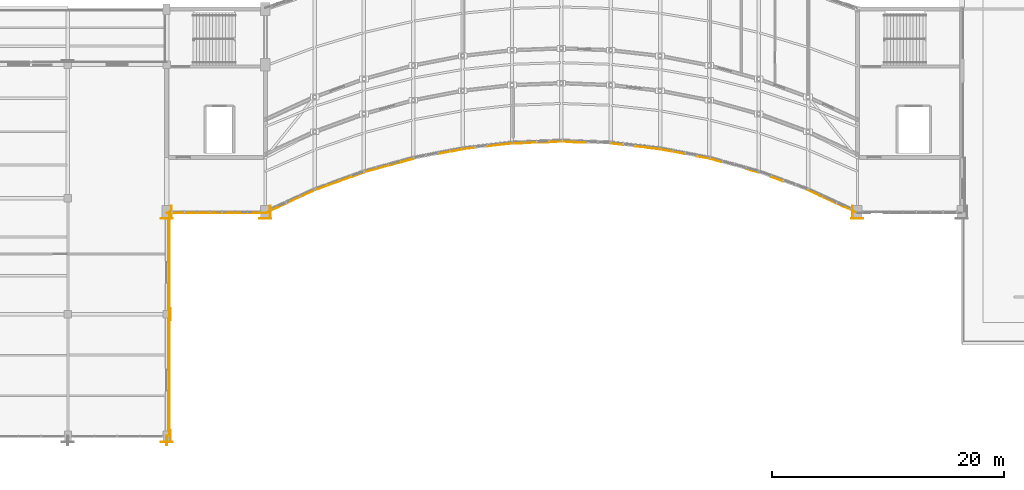
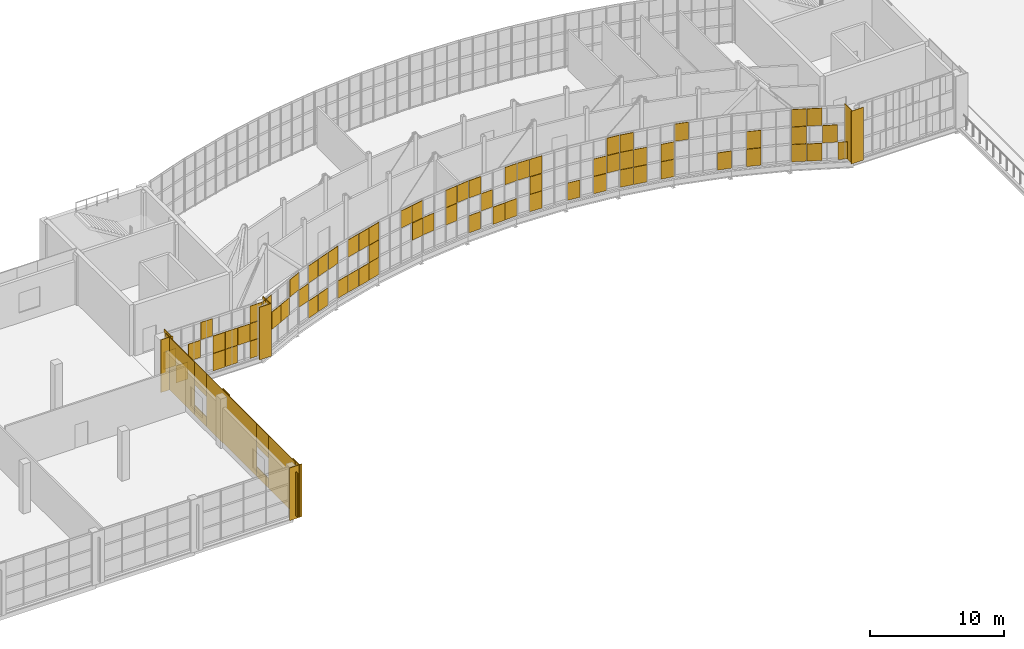
# One storey, part 61 of 66: 87 coverings, 1 shading device.
"""IFC4 building model written with IfcOpenShell, lengths in metres."""

from ifc_helpers import new_model, si_unit, direction, frame, origin, origin_2d, place, context, subcontext, project, spatial, rectangle, hollow_rectangle, extrude, material, layer, layer_set, material_profile, profile_set, type_object, element, save


model = new_model("IFC4")

# Units and contexts
model_context = context("Model", 3, precision=1e-05, world=origin(), true_north=direction((0.0, 1.0)))
body_context = subcontext(model_context, "Body", "Model", "MODEL_VIEW")
ifc_project = project(units=[si_unit("LENGTHUNIT", "METRE"), si_unit("AREAUNIT", "SQUARE_METRE"), si_unit("VOLUMEUNIT", "CUBIC_METRE"), si_unit("PLANEANGLEUNIT", "RADIAN"), si_unit("MASSUNIT", "GRAM", prefix="KILO")], contexts=[model_context])

# Site, building, storey
site_placement = place(None, origin())
site = spatial("IfcSite", under=ifc_project, at=site_placement, CompositionType="ELEMENT")
building_placement = place(site_placement, origin())
building = spatial("IfcBuilding", under=site, at=building_placement, Name="Solvikara Media Centre", CompositionType="ELEMENT")
storey_placement = place(building_placement, frame((0.0, 0.0, 19.800048828125)))
storey = spatial("IfcBuildingStorey", under=building, at=storey_placement, Name="L04", CompositionType="ELEMENT", Elevation=19.800048828125)

# Coverings
ifc_material_1 = material(Name="GFRC white mineral architectural rainscreen panel")
ifc_layer_1 = layer(ifc_material_1, 0.050048828125)
ifc_layer_set_1 = layer_set([ifc_layer_1], Name="GFRC white mineral architectural rainscreen panel")
covering_type_1 = type_object("IfcCoveringType", Name="CV-04", PredefinedType="CLADDING", material=ifc_layer_set_1)
for number, where, z_axis, x_axis, name in (
    (1, (68.324951171875, 0.0, 0.0), (0.0, 0.0, 1.0), (0.0, 1.0, 0.0), "PIL-L04-144"),
    (2, (68.0, -0.47509765625, 0.0), (0.0, 0.0, 1.0), (1.0, 0.0, 0.0), "PIL-L04-145"),
    (3, (68.35009765625, 10.5, 0.0), (0.0, 0.0, 1.0), (0.0, 1.0, 0.0), "PIL-L04-149"),
    (4, (68.425048828125, 19.323974609375, 0.0), (0.0, 0.0, 1.0), (0.0, 1.0, 0.0), "PIL-L04-165"),
    (5, (68.0, 18.7490234375, 0.0), (0.0, 0.0, 1.0), (1.0, 0.0, 0.0), "PIL-L04-166"),
    (6, (76.925048828125, 19.323974609375, 0.0), (0.0, 0.0, 1.0), (0.0, 1.0, 0.0), "PIL-L04-179"),
    (7, (76.5, 18.7490234375, 0.0), (0.0, 0.0, 1.0), (1.0, 0.0, 0.0), "PIL-L04-180"),
    (8, (127.5, 18.7490234375, 0.0), (0.0, 0.0, 1.0), (1.0, 0.0, 0.0), "PIL-L04-261"),
    (9, (127.074951171875, 19.323974609375, 0.0), (0.0, 0.0, 1.0), (0.0, -1.0, 0.0), "PIL-L04-262"),
):
    element("IfcCovering", number, at=place(storey_placement, frame(where, z_axis=z_axis, x_axis=x_axis)), inside=storey, type_object=covering_type_1, Name=name, PredefinedType="CLADDING", context=body_context, shape_type="SweptSolid", body=[
        extrude(rectangle(XDim=1.0400390625, YDim=0.050048828125, at=origin_2d()), origin(), (0.0, 0.0, 1.0), 4.800048828125),
    ])
covering_1_placement = place(storey_placement, frame((77.070068359375, 19.48291015625, 1.61474609375), z_axis=(0.0, 0.0, 1.0), x_axis=(0.908522763286, 0.417835360629, 0.0)))
element("IfcCovering", 10, at=covering_1_placement, inside=storey, type_object=covering_type_1, Name="CW-L04-SARC-00-SF-01", PredefinedType="CLADDING", context=body_context, shape_type="SweptSolid", body=[
    extrude(rectangle(XDim=1.138916015625, YDim=0.050048828125, at=origin_2d()), origin(), (0.0, 0.0, 1.0), 1.570068359375),
])
covering_2_placement = place(storey_placement, frame((78.133056640625, 19.971923828125, 1.61474609375), z_axis=(0.0, 0.0, 1.0), x_axis=(0.908675846917, 0.417502341586, 0.0)))
element("IfcCovering", 11, at=covering_2_placement, inside=storey, type_object=covering_type_1, Name="CW-L04-SARC-00-SF-11", PredefinedType="CLADDING", context=body_context, shape_type="SweptSolid", body=[
    extrude(rectangle(XDim=1.139892578125, YDim=0.050048828125, at=origin_2d()), origin(), (0.0, 0.0, 1.0), 1.570068359375),
])
covering_3_placement = place(storey_placement, frame((84.5009765625, 22.54296875, 3.21484375), z_axis=(0.0, 0.0, 1.0), x_axis=(0.939794058841, 0.341741315862, 0.0)))
element("IfcCovering", 12, at=covering_3_placement, inside=storey, type_object=covering_type_1, Name="CW-L04-SARC-01-SF-32", PredefinedType="CLADDING", context=body_context, shape_type="SweptSolid", body=[
    extrude(rectangle(XDim=1.10009765625, YDim=0.050048828125, at=origin_2d()), origin(), (0.0, 0.0, 1.0), 1.570068359375),
])
for number, where, z_axis, x_axis, name in (
    (13, (87.680908203125, 23.465087890625, 0.01513671875), (0.0, 0.0, 1.0), (0.964049041264, 0.265724379832, 0.0), "CW-L04-SARC-02-SF-20"),
    (14, (87.680908203125, 23.465087890625, 3.21484375), (0.0, 0.0, 1.0), (0.964049041264, 0.265724379832, 0.0), "CW-L04-SARC-02-SF-22"),
    (15, (88.743896484375, 23.758056640625, 1.61474609375), (0.0, 0.0, 1.0), (0.964049041264, 0.265724379832, 0.0), "CW-L04-SARC-02-SF-31"),
    (16, (88.743896484375, 23.758056640625, 3.21484375), (0.0, 0.0, 1.0), (0.964049041264, 0.265724379832, 0.0), "CW-L04-SARC-02-SF-32"),
):
    element("IfcCovering", number, at=place(storey_placement, frame(where, z_axis=z_axis, x_axis=x_axis)), inside=storey, type_object=covering_type_1, Name=name, PredefinedType="CLADDING", context=body_context, shape_type="SweptSolid", body=[
        extrude(rectangle(XDim=1.072998046875, YDim=0.050048828125, at=origin_2d()), origin(), (0.0, 0.0, 1.0), 1.570068359375),
    ])
covering_4_placement = place(storey_placement, frame((92.987060546875, 24.623046875, 1.61474609375), z_axis=(0.0, 0.0, 1.0), x_axis=(0.981766789998, 0.190089373868, 0.0)))
element("IfcCovering", 17, at=covering_4_placement, inside=storey, type_object=covering_type_1, Name="CW-L04-SARC-03-SF-31", PredefinedType="CLADDING", context=body_context, shape_type="SweptSolid", body=[
    extrude(rectangle(XDim=1.052001953125, YDim=0.050048828125, at=origin_2d()), origin(), (0.0, 0.0, 1.0), 1.570068359375),
])
for number, where, z_axis, x_axis, name in (
    (18, (98.284912109375, 25.23193359375, 3.21484375), (0.0, 0.0, 1.0), (0.999286838934, 0.037759946144, 0.0), "CW-L04-SARC-05-SF-02"),
    (19, (100.409912109375, 25.31201171875, 0.01513671875), (0.0, 0.0, 1.0), (0.999286838934, 0.037759946144, 0.0), "CW-L04-SARC-05-SF-20"),
    (20, (103.590087890625, 25.31201171875, 1.61474609375), (0.0, 0.0, 1.0), (0.999286838934, -0.037759946144, 0.0), "CW-L04-SARC-06-SF-11"),
):
    element("IfcCovering", number, at=place(storey_placement, frame(where, z_axis=z_axis, x_axis=x_axis)), inside=storey, type_object=covering_type_1, Name=name, PredefinedType="CLADDING", context=body_context, shape_type="SweptSolid", body=[
        extrude(rectangle(XDim=1.032958984375, YDim=0.050048828125, at=origin_2d()), origin(), (0.0, 0.0, 1.0), 1.570068359375),
    ])
covering_5_placement = place(storey_placement, frame((109.9580078125, 24.784912109375, 1.61474609375), z_axis=(0.0, 0.0, 1.0), x_axis=(0.993416825068, -0.114555714269, 0.0)))
element("IfcCovering", 21, at=covering_5_placement, inside=storey, type_object=covering_type_1, Name="CW-L04-SARC-07-SF-31", PredefinedType="CLADDING", context=body_context, shape_type="SweptSolid", body=[
    extrude(rectangle(XDim=1.0390625, YDim=0.050048828125, at=origin_2d()), origin(), (0.0, 0.0, 1.0), 1.570068359375),
])
covering_6_placement = place(storey_placement, frame((111.012939453125, 24.623046875, 3.21484375), z_axis=(0.0, 0.0, 1.0), x_axis=(0.981766789998, -0.190089373868, 0.0)))
element("IfcCovering", 22, at=covering_6_placement, inside=storey, type_object=covering_type_1, Name="CW-L04-SARC-08-SF-02", PredefinedType="CLADDING", context=body_context, shape_type="SweptSolid", body=[
    extrude(rectangle(XDim=1.052001953125, YDim=0.050048828125, at=origin_2d()), origin(), (0.0, 0.0, 1.0), 1.570068359375),
])
covering_7_placement = place(storey_placement, frame((118.444091796875, 22.8798828125, 0.01513671875), z_axis=(0.0, 0.0, 1.0), x_axis=(0.964049041264, -0.265724379832, 0.0)))
element("IfcCovering", 23, at=covering_7_placement, inside=storey, type_object=covering_type_1, Name="CW-L04-SARC-09-SF-30", PredefinedType="CLADDING", context=body_context, shape_type="SweptSolid", body=[
    extrude(rectangle(XDim=1.072998046875, YDim=0.050048828125, at=origin_2d()), origin(), (0.0, 0.0, 1.0), 1.570068359375),
])
covering_8_placement = place(storey_placement, frame((120.56103515625, 22.156005859375, 0.01513671875), z_axis=(0.0, 0.0, 1.0), x_axis=(0.939901373663, -0.341446053991, 0.0)))
element("IfcCovering", 24, at=covering_8_placement, inside=storey, type_object=covering_type_1, Name="CW-L04-SARC-10-SF-10", PredefinedType="CLADDING", context=body_context, shape_type="SweptSolid", body=[
    extrude(rectangle(XDim=1.10107421875, YDim=0.050048828125, at=origin_2d()), origin(), (0.0, 0.0, 1.0), 1.570068359375),
])
for number, where, z_axis, x_axis, name in (
    (25, (124.804931640625, 20.4609375, 0.01513671875), (0.0, 0.0, 1.0), (0.908187010791, -0.418564634711, 0.0), "CW-L04-SARC-11-SF-10"),
    (26, (124.804931640625, 20.4609375, 3.21484375), (0.0, 0.0, 1.0), (0.908187010791, -0.418564634711, 0.0), "CW-L04-SARC-11-SF-12"),
    (27, (125.866943359375, 19.971923828125, 1.61474609375), (0.0, 0.0, 1.0), (0.908675846917, -0.417502341586, 0.0), "CW-L04-SARC-11-SF-21"),
):
    element("IfcCovering", number, at=place(storey_placement, frame(where, z_axis=z_axis, x_axis=x_axis)), inside=storey, type_object=covering_type_1, Name=name, PredefinedType="CLADDING", context=body_context, shape_type="SweptSolid", body=[
        extrude(rectangle(XDim=1.139892578125, YDim=0.050048828125, at=origin_2d()), origin(), (0.0, 0.0, 1.0), 1.570068359375),
    ])
for number, where, z_axis, x_axis, name in (
    (28, (72.781005859375, 19.22998046875, 0.01513671875), (0.0, 0.0, 1.0), (1.0, 0.0, 0.0), "CW-L04-BHWS-SF-40"),
    (29, (72.781005859375, 19.22998046875, 1.61474609375), (0.0, 0.0, 1.0), (1.0, 0.0, 0.0), "CW-L04-BHWS-SF-41"),
    (30, (74.906005859375, 19.22998046875, 1.61474609375), (0.0, 0.0, 1.0), (1.0, 0.0, 0.0), "CW-L04-BHWS-SF-61"),
):
    element("IfcCovering", number, at=place(storey_placement, frame(where, z_axis=z_axis, x_axis=x_axis)), inside=storey, type_object=covering_type_1, Name=name, PredefinedType="CLADDING", context=body_context, shape_type="SweptSolid", body=[
        extrude(rectangle(XDim=1.031982421875, YDim=0.050048828125, at=origin_2d()), origin(), (0.0, 0.0, 1.0), 1.570068359375),
    ])
covering_9_placement = place(storey_placement, frame((68.2451171875, 1.966064453125, 0.0), z_axis=(0.0, 0.0, 1.0), x_axis=(0.0, 1.0, 0.0)))
element("IfcCovering", 31, at=covering_9_placement, inside=storey, type_object=covering_type_1, Name="L04-V6E-CV-F01", PredefinedType="CLADDING", context=body_context, shape_type="SweptSolid", body=[
    extrude(rectangle(XDim=3.930908203125, YDim=0.050048828125, at=origin_2d()), origin(), (0.0, 0.0, 1.0), 4.800048828125),
])
covering_10_placement = place(storey_placement, frame((68.2451171875, 4.8310546875, 0.0), z_axis=(0.0, 0.0, 1.0), x_axis=(0.0, 1.0, 0.0)))
element("IfcCovering", 32, at=covering_10_placement, inside=storey, type_object=covering_type_1, Name="L04-V6E-CV-S02", PredefinedType="CLADDING", context=body_context, shape_type="SweptSolid", body=[
    extrude(rectangle(XDim=1.800048828125, YDim=0.050048828125, at=origin_2d()), origin(), (0.0, 0.0, 1.0), 0.8701171875),
])
covering_11_placement = place(storey_placement, frame((68.2451171875, 4.8310546875, 2.72998046875), z_axis=(0.0, 0.0, 1.0), x_axis=(0.0, 1.0, 0.0)))
element("IfcCovering", 33, at=covering_11_placement, inside=storey, type_object=covering_type_1, Name="L04-V6E-CV-H02", PredefinedType="CLADDING", context=body_context, shape_type="SweptSolid", body=[
    extrude(rectangle(XDim=1.800048828125, YDim=0.050048828125, at=origin_2d()), origin(), (0.0, 0.0, 1.0), 2.070068359375),
])
covering_12_placement = place(storey_placement, frame((68.2451171875, 9.471923828125, 0.0), z_axis=(0.0, 0.0, 1.0), x_axis=(0.0, 1.0, 0.0)))
element("IfcCovering", 34, at=covering_12_placement, inside=storey, type_object=covering_type_1, Name="L04-V6E-CV-F03", PredefinedType="CLADDING", context=body_context, shape_type="SweptSolid", body=[
    extrude(rectangle(XDim=7.48193359375, YDim=0.050048828125, at=origin_2d()), origin(), (0.0, 0.0, 1.0), 4.800048828125),
])
covering_13_placement = place(storey_placement, frame((68.2451171875, 14.113037109375, 0.0), z_axis=(0.0, 0.0, 1.0), x_axis=(0.0, 1.0, 0.0)))
element("IfcCovering", 35, at=covering_13_placement, inside=storey, type_object=covering_type_1, Name="L04-V6E-CV-S04", PredefinedType="CLADDING", context=body_context, shape_type="SweptSolid", body=[
    extrude(rectangle(XDim=1.800048828125, YDim=0.050048828125, at=origin_2d()), origin(), (0.0, 0.0, 1.0), 0.8701171875),
])
covering_14_placement = place(storey_placement, frame((68.2451171875, 14.113037109375, 2.72998046875), z_axis=(0.0, 0.0, 1.0), x_axis=(0.0, 1.0, 0.0)))
element("IfcCovering", 36, at=covering_14_placement, inside=storey, type_object=covering_type_1, Name="L04-V6E-CV-H04", PredefinedType="CLADDING", context=body_context, shape_type="SweptSolid", body=[
    extrude(rectangle(XDim=1.800048828125, YDim=0.050048828125, at=origin_2d()), origin(), (0.0, 0.0, 1.0), 2.070068359375),
])
covering_15_placement = place(storey_placement, frame((68.2451171875, 17.1689453125, 0.0), z_axis=(0.0, 0.0, 1.0), x_axis=(0.0, 1.0, 0.0)))
element("IfcCovering", 37, at=covering_15_placement, inside=storey, type_object=covering_type_1, Name="L04-V6E-CV-F05", PredefinedType="CLADDING", context=body_context, shape_type="SweptSolid", body=[
    extrude(rectangle(XDim=4.31103515625, YDim=0.050048828125, at=origin_2d()), origin(), (0.0, 0.0, 1.0), 4.800048828125),
])
ifc_material_2 = material(Name="Insulated silver-pearl glass spandrel panel", Category="glass")
ifc_layer_2 = layer(ifc_material_2, 0.034912109375)
ifc_layer_set_2 = layer_set([ifc_layer_2], Name="Insulated silver-pearl glass spandrel panel")
covering_type_2 = type_object("IfcCoveringType", Name="CV-06", PredefinedType="CLADDING", material=ifc_layer_set_2)
covering_16_placement = place(storey_placement, frame((77.06689453125, 19.491943359375, 3.21484375), z_axis=(0.0, 0.0, 1.0), x_axis=(0.908522763286, 0.417835360629, 0.0)))
element("IfcCovering", 38, at=covering_16_placement, inside=storey, type_object=covering_type_2, Name="CW-L04-SARC-00-PX-02", PredefinedType="CLADDING", context=body_context, shape_type="SweptSolid", body=[
    extrude(rectangle(XDim=1.138916015625, YDim=0.034912109375, at=origin_2d()), origin(), (0.0, 0.0, 1.0), 1.570068359375),
])
covering_17_placement = place(storey_placement, frame((79.19189453125, 20.469970703125, 1.61474609375), z_axis=(0.0, 0.0, 1.0), x_axis=(0.908187010791, 0.418564634711, 0.0)))
element("IfcCovering", 39, at=covering_17_placement, inside=storey, type_object=covering_type_2, Name="CW-L04-SARC-00-PX-21", PredefinedType="CLADDING", context=body_context, shape_type="SweptSolid", body=[
    extrude(rectangle(XDim=1.139892578125, YDim=0.034912109375, at=origin_2d()), origin(), (0.0, 0.0, 1.0), 1.570068359375),
])
covering_18_placement = place(storey_placement, frame((80.25390625, 20.9580078125, 3.21484375), z_axis=(0.0, 0.0, 1.0), x_axis=(0.908522763286, 0.417835360629, 0.0)))
element("IfcCovering", 40, at=covering_18_placement, inside=storey, type_object=covering_type_2, Name="CW-L04-SARC-00-PX-32", PredefinedType="CLADDING", context=body_context, shape_type="SweptSolid", body=[
    extrude(rectangle(XDim=1.138916015625, YDim=0.034912109375, at=origin_2d()), origin(), (0.0, 0.0, 1.0), 1.570068359375),
])
covering_19_placement = place(storey_placement, frame((81.31005859375, 21.39306640625, 1.61474609375), z_axis=(0.0, 0.0, 1.0), x_axis=(0.939794058841, 0.341741315862, 0.0)))
element("IfcCovering", 41, at=covering_19_placement, inside=storey, type_object=covering_type_2, Name="CW-L04-SARC-01-PX-01", PredefinedType="CLADDING", context=body_context, shape_type="SweptSolid", body=[
    extrude(rectangle(XDim=1.10009765625, YDim=0.034912109375, at=origin_2d()), origin(), (0.0, 0.0, 1.0), 1.570068359375),
])
for number, where, z_axis, x_axis, name in (
    (42, (82.373046875, 21.779052734375, 0.01513671875), (0.0, 0.0, 1.0), (0.939901373663, 0.341446053991, 0.0), "CW-L04-SARC-01-PX-10"),
    (43, (82.373046875, 21.779052734375, 3.21484375), (0.0, 0.0, 1.0), (0.939901373663, 0.341446053991, 0.0), "CW-L04-SARC-01-PX-12"),
):
    element("IfcCovering", number, at=place(storey_placement, frame(where, z_axis=z_axis, x_axis=x_axis)), inside=storey, type_object=covering_type_2, Name=name, PredefinedType="CLADDING", context=body_context, shape_type="SweptSolid", body=[
        extrude(rectangle(XDim=1.10107421875, YDim=0.034912109375, at=origin_2d()), origin(), (0.0, 0.0, 1.0), 1.570068359375),
    ])
for number, where, z_axis, x_axis, name in (
    (44, (83.43505859375, 22.166015625, 0.01513671875), (0.0, 0.0, 1.0), (0.939794058841, 0.341741315862, 0.0), "CW-L04-SARC-01-PX-20"),
    (45, (83.43505859375, 22.166015625, 3.21484375), (0.0, 0.0, 1.0), (0.939794058841, 0.341741315862, 0.0), "CW-L04-SARC-01-PX-22"),
):
    element("IfcCovering", number, at=place(storey_placement, frame(where, z_axis=z_axis, x_axis=x_axis)), inside=storey, type_object=covering_type_2, Name=name, PredefinedType="CLADDING", context=body_context, shape_type="SweptSolid", body=[
        extrude(rectangle(XDim=1.10009765625, YDim=0.034912109375, at=origin_2d()), origin(), (0.0, 0.0, 1.0), 1.570068359375),
    ])
covering_20_placement = place(storey_placement, frame((85.552978515625, 22.888916015625, 0.01513671875), z_axis=(0.0, 0.0, 1.0), x_axis=(0.963984083771, 0.265959933516, 0.0)))
element("IfcCovering", 46, at=covering_20_placement, inside=storey, type_object=covering_type_2, Name="CW-L04-SARC-02-PX-00", PredefinedType="CLADDING", context=body_context, shape_type="SweptSolid", body=[
    extrude(rectangle(XDim=1.072021484375, YDim=0.034912109375, at=origin_2d()), origin(), (0.0, 0.0, 1.0), 1.570068359375),
])
for number, where, z_axis, x_axis, name in (
    (47, (86.615966796875, 23.181884765625, 0.01513671875), (0.0, 0.0, 1.0), (0.964049041264, 0.265724379832, 0.0), "CW-L04-SARC-02-PX-10"),
    (48, (86.615966796875, 23.181884765625, 3.21484375), (0.0, 0.0, 1.0), (0.964049041264, 0.265724379832, 0.0), "CW-L04-SARC-02-PX-12"),
    (49, (88.740966796875, 23.76904296875, 0.01513671875), (0.0, 0.0, 1.0), (0.964049041264, 0.265724379832, 0.0), "CW-L04-SARC-02-PX-30"),
):
    element("IfcCovering", number, at=place(storey_placement, frame(where, z_axis=z_axis, x_axis=x_axis)), inside=storey, type_object=covering_type_2, Name=name, PredefinedType="CLADDING", context=body_context, shape_type="SweptSolid", body=[
        extrude(rectangle(XDim=1.072998046875, YDim=0.034912109375, at=origin_2d()), origin(), (0.0, 0.0, 1.0), 1.570068359375),
    ])
for number, where, z_axis, x_axis, name in (
    (50, (91.922119140625, 24.427001953125, 3.21484375), (0.0, 0.0, 1.0), (0.981766789998, 0.190089373868, 0.0), "CW-L04-SARC-03-PX-22"),
    (51, (92.98388671875, 24.633056640625, 3.21484375), (0.0, 0.0, 1.0), (0.981766789998, 0.190089373868, 0.0), "CW-L04-SARC-03-PX-32"),
):
    element("IfcCovering", number, at=place(storey_placement, frame(where, z_axis=z_axis, x_axis=x_axis)), inside=storey, type_object=covering_type_2, Name=name, PredefinedType="CLADDING", context=body_context, shape_type="SweptSolid", body=[
        extrude(rectangle(XDim=1.052001953125, YDim=0.034912109375, at=origin_2d()), origin(), (0.0, 0.0, 1.0), 1.570068359375),
    ])
for number, where, z_axis, x_axis, name in (
    (52, (94.041015625, 24.7958984375, 1.61474609375), (0.0, 0.0, 1.0), (0.993430813275, 0.114434344654, 0.0), "CW-L04-SARC-04-PX-01"),
    (53, (96.166015625, 25.0390625, 1.61474609375), (0.0, 0.0, 1.0), (0.993538223873, 0.113498007485, 0.0), "CW-L04-SARC-04-PX-21"),
    (54, (96.166015625, 25.0390625, 3.21484375), (0.0, 0.0, 1.0), (0.993538223873, 0.113498007485, 0.0), "CW-L04-SARC-04-PX-22"),
    (55, (97.22802734375, 25.160888671875, 3.21484375), (0.0, 0.0, 1.0), (0.993538223873, 0.113498007485, 0.0), "CW-L04-SARC-04-PX-32"),
):
    element("IfcCovering", number, at=place(storey_placement, frame(where, z_axis=z_axis, x_axis=x_axis)), inside=storey, type_object=covering_type_2, Name=name, PredefinedType="CLADDING", context=body_context, shape_type="SweptSolid", body=[
        extrude(rectangle(XDim=1.0400390625, YDim=0.034912109375, at=origin_2d()), origin(), (0.0, 0.0, 1.0), 1.570068359375),
    ])
covering_21_placement = place(storey_placement, frame((98.284912109375, 25.241943359375, 0.01513671875), z_axis=(0.0, 0.0, 1.0), x_axis=(0.999288156396, 0.03772506443, 0.0)))
element("IfcCovering", 56, at=covering_21_placement, inside=storey, type_object=covering_type_2, Name="CW-L04-SARC-05-PX-00", PredefinedType="CLADDING", context=body_context, shape_type="SweptSolid", body=[
    extrude(rectangle(XDim=1.033935546875, YDim=0.034912109375, at=origin_2d()), origin(), (0.0, 0.0, 1.0), 1.570068359375),
])
for number, where, z_axis, x_axis, name in (
    (57, (99.346923828125, 25.281982421875, 1.61474609375), (0.0, 0.0, 1.0), (0.999286838934, 0.037759946144, 0.0), "CW-L04-SARC-05-PX-11"),
    (58, (101.471923828125, 25.363037109375, 0.01513671875), (0.0, 0.0, 1.0), (0.999286838934, 0.037759946144, 0.0), "CW-L04-SARC-05-PX-30"),
    (59, (101.471923828125, 25.363037109375, 3.21484375), (0.0, 0.0, 1.0), (0.999286838934, 0.037759946144, 0.0), "CW-L04-SARC-05-PX-32"),
    (60, (102.528076171875, 25.363037109375, 3.21484375), (0.0, 0.0, 1.0), (0.999286838934, -0.037759946144, 0.0), "CW-L04-SARC-06-PX-02"),
):
    element("IfcCovering", number, at=place(storey_placement, frame(where, z_axis=z_axis, x_axis=x_axis)), inside=storey, type_object=covering_type_2, Name=name, PredefinedType="CLADDING", context=body_context, shape_type="SweptSolid", body=[
        extrude(rectangle(XDim=1.032958984375, YDim=0.034912109375, at=origin_2d()), origin(), (0.0, 0.0, 1.0), 1.570068359375),
    ])
for number, where, z_axis, x_axis, name in (
    (61, (103.590087890625, 25.322021484375, 0.01513671875), (0.0, 0.0, 1.0), (0.999288156396, -0.03772506443, 0.0), "CW-L04-SARC-06-PX-10"),
    (62, (103.590087890625, 25.322021484375, 3.21484375), (0.0, 0.0, 1.0), (0.999288156396, -0.03772506443, 0.0), "CW-L04-SARC-06-PX-12"),
):
    element("IfcCovering", number, at=place(storey_placement, frame(where, z_axis=z_axis, x_axis=x_axis)), inside=storey, type_object=covering_type_2, Name=name, PredefinedType="CLADDING", context=body_context, shape_type="SweptSolid", body=[
        extrude(rectangle(XDim=1.033935546875, YDim=0.034912109375, at=origin_2d()), origin(), (0.0, 0.0, 1.0), 1.570068359375),
    ])
for number, where, z_axis, x_axis, name in (
    (63, (106.77197265625, 25.160888671875, 0.01513671875), (0.0, 0.0, 1.0), (0.993538223873, -0.113498007485, 0.0), "CW-L04-SARC-07-PX-00"),
    (64, (108.89697265625, 24.9169921875, 0.01513671875), (0.0, 0.0, 1.0), (0.993538223873, -0.113498007485, 0.0), "CW-L04-SARC-07-PX-20"),
    (65, (108.89697265625, 24.9169921875, 1.61474609375), (0.0, 0.0, 1.0), (0.993538223873, -0.113498007485, 0.0), "CW-L04-SARC-07-PX-21"),
    (66, (109.958984375, 24.7958984375, 3.21484375), (0.0, 0.0, 1.0), (0.993430813275, -0.114434344654, 0.0), "CW-L04-SARC-07-PX-32"),
):
    element("IfcCovering", number, at=place(storey_placement, frame(where, z_axis=z_axis, x_axis=x_axis)), inside=storey, type_object=covering_type_2, Name=name, PredefinedType="CLADDING", context=body_context, shape_type="SweptSolid", body=[
        extrude(rectangle(XDim=1.0400390625, YDim=0.034912109375, at=origin_2d()), origin(), (0.0, 0.0, 1.0), 1.570068359375),
    ])
for number, where, z_axis, x_axis, name in (
    (67, (111.01611328125, 24.633056640625, 0.01513671875), (0.0, 0.0, 1.0), (0.981766789998, -0.190089373868, 0.0), "CW-L04-SARC-08-PX-00"),
    (68, (111.01611328125, 24.633056640625, 1.61474609375), (0.0, 0.0, 1.0), (0.981766789998, -0.190089373868, 0.0), "CW-L04-SARC-08-PX-01"),
    (69, (112.077880859375, 24.427001953125, 0.01513671875), (0.0, 0.0, 1.0), (0.981766789998, -0.190089373868, 0.0), "CW-L04-SARC-08-PX-10"),
    (70, (112.077880859375, 24.427001953125, 1.61474609375), (0.0, 0.0, 1.0), (0.981766789998, -0.190089373868, 0.0), "CW-L04-SARC-08-PX-11"),
    (71, (114.202880859375, 24.01611328125, 0.01513671875), (0.0, 0.0, 1.0), (0.981766789998, -0.190089373868, 0.0), "CW-L04-SARC-08-PX-30"),
    (72, (114.202880859375, 24.01611328125, 1.61474609375), (0.0, 0.0, 1.0), (0.981766789998, -0.190089373868, 0.0), "CW-L04-SARC-08-PX-31"),
):
    element("IfcCovering", number, at=place(storey_placement, frame(where, z_axis=z_axis, x_axis=x_axis)), inside=storey, type_object=covering_type_2, Name=name, PredefinedType="CLADDING", context=body_context, shape_type="SweptSolid", body=[
        extrude(rectangle(XDim=1.052001953125, YDim=0.034912109375, at=origin_2d()), origin(), (0.0, 0.0, 1.0), 1.570068359375),
    ])
covering_22_placement = place(storey_placement, frame((115.259033203125, 23.76904296875, 3.21484375), z_axis=(0.0, 0.0, 1.0), x_axis=(0.964049041264, -0.265724379832, 0.0)))
element("IfcCovering", 73, at=covering_22_placement, inside=storey, type_object=covering_type_2, Name="CW-L04-SARC-09-PX-02", PredefinedType="CLADDING", context=body_context, shape_type="SweptSolid", body=[
    extrude(rectangle(XDim=1.072998046875, YDim=0.034912109375, at=origin_2d()), origin(), (0.0, 0.0, 1.0), 1.570068359375),
])
covering_23_placement = place(storey_placement, frame((120.56494140625, 22.166015625, 1.61474609375), z_axis=(0.0, 0.0, 1.0), x_axis=(0.939794058841, -0.341741315862, 0.0)))
element("IfcCovering", 74, at=covering_23_placement, inside=storey, type_object=covering_type_2, Name="CW-L04-SARC-10-PX-11", PredefinedType="CLADDING", context=body_context, shape_type="SweptSolid", body=[
    extrude(rectangle(XDim=1.10009765625, YDim=0.034912109375, at=origin_2d()), origin(), (0.0, 0.0, 1.0), 1.570068359375),
])
for number, where, z_axis, x_axis, name in (
    (75, (123.74609375, 20.9580078125, 0.01513671875), (0.0, 0.0, 1.0), (0.908522763286, -0.417835360629, 0.0), "CW-L04-SARC-11-PX-00"),
    (76, (123.74609375, 20.9580078125, 1.61474609375), (0.0, 0.0, 1.0), (0.908522763286, -0.417835360629, 0.0), "CW-L04-SARC-11-PX-01"),
    (77, (123.74609375, 20.9580078125, 3.21484375), (0.0, 0.0, 1.0), (0.908522763286, -0.417835360629, 0.0), "CW-L04-SARC-11-PX-02"),
    (78, (126.93310546875, 19.491943359375, 0.01513671875), (0.0, 0.0, 1.0), (0.908522763286, -0.417835360629, 0.0), "CW-L04-SARC-11-PX-30"),
):
    element("IfcCovering", number, at=place(storey_placement, frame(where, z_axis=z_axis, x_axis=x_axis)), inside=storey, type_object=covering_type_2, Name=name, PredefinedType="CLADDING", context=body_context, shape_type="SweptSolid", body=[
        extrude(rectangle(XDim=1.138916015625, YDim=0.034912109375, at=origin_2d()), origin(), (0.0, 0.0, 1.0), 1.570068359375),
    ])
for number, where, z_axis, x_axis, name in (
    (79, (68.531005859375, 19.239990234375, 1.61474609375), (0.0, 0.0, 1.0), (1.0, 0.0, 0.0), "CW-L04-BHWS-PX-01"),
    (80, (69.593994140625, 19.239990234375, 0.01513671875), (0.0, 0.0, 1.0), (1.0, 0.0, 0.0), "CW-L04-BHWS-PX-10"),
    (81, (70.656005859375, 19.239990234375, 1.61474609375), (0.0, 0.0, 1.0), (1.0, 0.0, 0.0), "CW-L04-BHWS-PX-21"),
    (82, (71.718994140625, 19.239990234375, 3.21484375), (0.0, 0.0, 1.0), (1.0, 0.0, 0.0), "CW-L04-BHWS-PX-32"),
    (83, (73.843994140625, 19.239990234375, 0.01513671875), (0.0, 0.0, 1.0), (1.0, 0.0, 0.0), "CW-L04-BHWS-PX-50"),
    (84, (73.843994140625, 19.239990234375, 1.61474609375), (0.0, 0.0, 1.0), (1.0, 0.0, 0.0), "CW-L04-BHWS-PX-51"),
    (85, (75.968994140625, 19.239990234375, 0.01513671875), (0.0, 0.0, 1.0), (1.0, 0.0, 0.0), "CW-L04-BHWS-PX-70"),
    (86, (75.968994140625, 19.239990234375, 1.61474609375), (0.0, 0.0, 1.0), (1.0, 0.0, 0.0), "CW-L04-BHWS-PX-71"),
    (87, (75.968994140625, 19.239990234375, 3.21484375), (0.0, 0.0, 1.0), (1.0, 0.0, 0.0), "CW-L04-BHWS-PX-72"),
):
    element("IfcCovering", number, at=place(storey_placement, frame(where, z_axis=z_axis, x_axis=x_axis)), inside=storey, type_object=covering_type_2, Name=name, PredefinedType="CLADDING", context=body_context, shape_type="SweptSolid", body=[
        extrude(rectangle(XDim=1.031982421875, YDim=0.034912109375, at=origin_2d()), origin(), (0.0, 0.0, 1.0), 1.570068359375),
    ])

# Shading device
ifc_material_3 = material(Name="Anodised aluminium EN AW-6063", Category="aluminium")
ifc_material_profile = material_profile(ifc_material_3, hollow_rectangle(XDim=0.080078125, YDim=0.800048828125, WallThickness=0.00390625, at=origin_2d()), Name="ALU-FIN 80x800x4")
ifc_profile_set = profile_set([ifc_material_profile], Name="Anodised aluminium EN AW-6063")
shading_device_type = type_object("IfcShadingDeviceType", Name="SH-01", PredefinedType="USERDEFINED", material=ifc_profile_set)
shading_device_placement = place(storey_placement, frame((68.0, -0.35009765625, 0.300048828125), z_axis=(0.0, 0.0, 1.0), x_axis=(1.0, 0.0, 0.0)))
element("IfcShadingDevice", 88, at=shading_device_placement, inside=storey, type_object=shading_device_type, Name="FIN-L04-020", ObjectType="FIN", PredefinedType="USERDEFINED", context=body_context, shape_type="SweptSolid", body=[
    extrude(hollow_rectangle(XDim=0.080078125, YDim=0.800048828125, WallThickness=0.00390625, at=origin_2d()), origin(), (0.0, 0.0, 1.0), 4.0),
])

save(model, "model.ifc")
